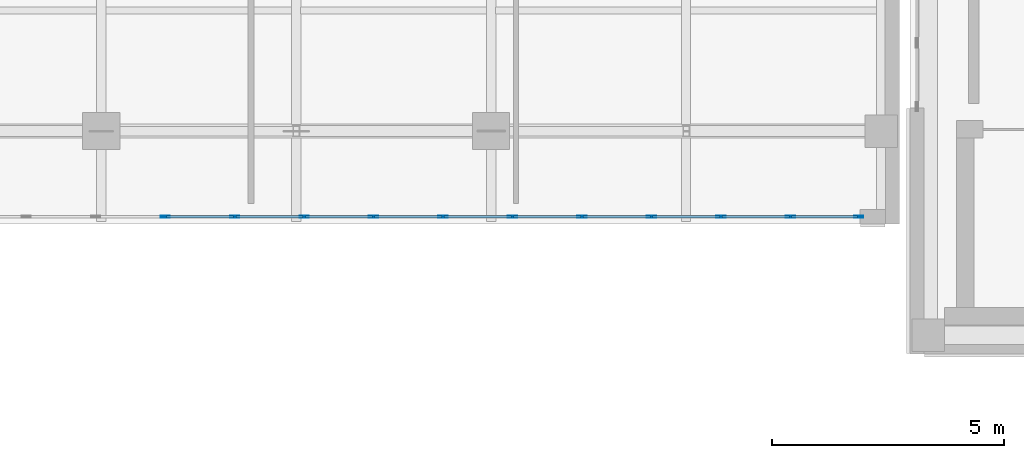
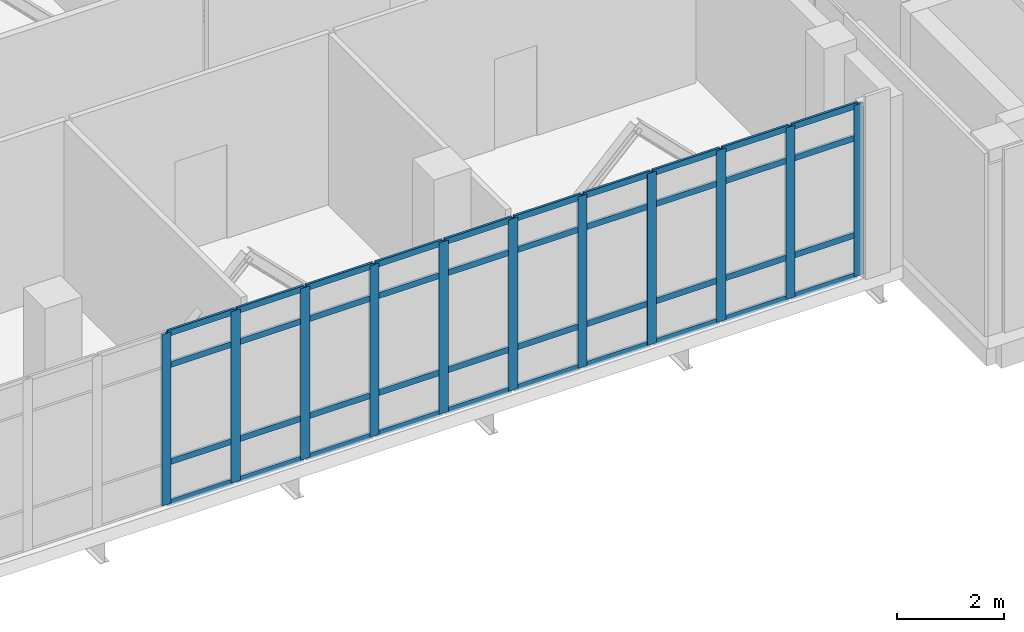
# One storey, part 4 of 193: 51 members, 1 element without a shape of its own.
"""IFC4 building model written with IfcOpenShell, lengths in metres."""

from ifc_helpers import new_model, si_unit, direction, frame, origin, origin_2d, place, context, subcontext, project, spatial, hollow_rectangle, extrude, material, layer, layer_set, material_profile, profile_set, type_object, element, aggregate, save


model = new_model("IFC4")

# Units and contexts
model_context = context("Model", 3, precision=1e-05, world=origin(), true_north=direction((0.0, 1.0)))
body_context = subcontext(model_context, "Body", "Model", "MODEL_VIEW")
ifc_project = project(units=[si_unit("LENGTHUNIT", "METRE"), si_unit("AREAUNIT", "SQUARE_METRE"), si_unit("VOLUMEUNIT", "CUBIC_METRE"), si_unit("PLANEANGLEUNIT", "RADIAN"), si_unit("MASSUNIT", "GRAM", prefix="KILO")], contexts=[model_context])

# Site, building, storey
site_placement = place(None, origin())
site = spatial("IfcSite", under=ifc_project, at=site_placement, CompositionType="ELEMENT")
building_placement = place(site_placement, origin())
building = spatial("IfcBuilding", under=site, at=building_placement, Name="Qalavern Law Courts", CompositionType="ELEMENT")
storey_placement = place(building_placement, frame((0.0, 0.0, 10.199951171875)))
storey = spatial("IfcBuildingStorey", under=building, at=storey_placement, Name="L02", CompositionType="ELEMENT", Elevation=10.199951171875)

# Curtain wall, members
ifc_material_1 = material(Name="Anodised aluminium and insulated glazing", Category="aluminium")
ifc_layer = layer(ifc_material_1, 0.199951171875)
ifc_layer_set = layer_set([ifc_layer], Name="Anodised aluminium and insulated glazing")
curtain_wall_type = type_object("IfcCurtainWallType", Name="ENV-CW-FOYER", PredefinedType="USERDEFINED", material=ifc_layer_set)
curtain_wall_placement = place(storey_placement, origin())
curtain_wall = element("IfcCurtainWall", 1, at=curtain_wall_placement, inside=storey, type_object=curtain_wall_type, Name="V1 unitised curtain wall L02 south 1", ObjectType="UNITISED CURTAIN WALL", PredefinedType="USERDEFINED")
ifc_material_2 = material(Name="Anodised aluminium", Category="aluminium")
ifc_material_profile_1 = material_profile(ifc_material_2, hollow_rectangle(XDim=0.048095703125, YDim=0.199951171875, WallThickness=0.00439453125, at=origin_2d()), Name="ALU MULLION 48x200")
ifc_profile_set_1 = profile_set([ifc_material_profile_1], Name="Anodised aluminium")
member_type_1 = type_object("IfcMemberType", Name="ENV-CWM-48x200", PredefinedType="MULLION", material=ifc_profile_set_1)
member_1_placement = place(storey_placement, frame((18.17822265625, 8.155029296875, 0.0), z_axis=(0.0, 0.0, 1.0), x_axis=(0.0, 1.0, 0.0)))
member_1 = element("IfcMember", 2, at=member_1_placement, type_object=member_type_1, Name="CW-01 mullion 9", PredefinedType="MULLION", context=body_context, shape_type="SweptSolid", body=[
    extrude(hollow_rectangle(XDim=0.048095703125, YDim=0.199951171875, WallThickness=0.00439453125, at=origin_2d()), origin(), (0.0, 0.0, 1.0), 3.9150390625),
])
member_2_placement = place(storey_placement, frame((19.675048828125, 8.155029296875, 0.0), z_axis=(0.0, 0.0, 1.0), x_axis=(0.0, 1.0, 0.0)))
member_2 = element("IfcMember", 3, at=member_2_placement, type_object=member_type_1, Name="CW-01 mullion 10", PredefinedType="MULLION", context=body_context, shape_type="SweptSolid", body=[
    extrude(hollow_rectangle(XDim=0.048095703125, YDim=0.199951171875, WallThickness=0.00439453125, at=origin_2d()), origin(), (0.0, 0.0, 1.0), 3.9150390625),
])
member_3_placement = place(storey_placement, frame((21.171630859375, 8.155029296875, 0.0), z_axis=(0.0, 0.0, 1.0), x_axis=(0.0, 1.0, 0.0)))
member_3 = element("IfcMember", 4, at=member_3_placement, type_object=member_type_1, Name="CW-01 mullion 11", PredefinedType="MULLION", context=body_context, shape_type="SweptSolid", body=[
    extrude(hollow_rectangle(XDim=0.048095703125, YDim=0.199951171875, WallThickness=0.00439453125, at=origin_2d()), origin(), (0.0, 0.0, 1.0), 3.9150390625),
])
member_4_placement = place(storey_placement, frame((22.668212890625, 8.155029296875, 0.0), z_axis=(0.0, 0.0, 1.0), x_axis=(0.0, 1.0, 0.0)))
member_4 = element("IfcMember", 5, at=member_4_placement, type_object=member_type_1, Name="CW-01 mullion 12", PredefinedType="MULLION", context=body_context, shape_type="SweptSolid", body=[
    extrude(hollow_rectangle(XDim=0.048095703125, YDim=0.199951171875, WallThickness=0.00439453125, at=origin_2d()), origin(), (0.0, 0.0, 1.0), 3.9150390625),
])
member_5_placement = place(storey_placement, frame((24.1650390625, 8.155029296875, 0.0), z_axis=(0.0, 0.0, 1.0), x_axis=(0.0, 1.0, 0.0)))
member_5 = element("IfcMember", 6, at=member_5_placement, type_object=member_type_1, Name="CW-01 mullion 13", PredefinedType="MULLION", context=body_context, shape_type="SweptSolid", body=[
    extrude(hollow_rectangle(XDim=0.048095703125, YDim=0.199951171875, WallThickness=0.00439453125, at=origin_2d()), origin(), (0.0, 0.0, 1.0), 3.9150390625),
])
member_6_placement = place(storey_placement, frame((25.66162109375, 8.155029296875, 0.0), z_axis=(0.0, 0.0, 1.0), x_axis=(0.0, 1.0, 0.0)))
member_6 = element("IfcMember", 7, at=member_6_placement, type_object=member_type_1, Name="CW-01 mullion 14", PredefinedType="MULLION", context=body_context, shape_type="SweptSolid", body=[
    extrude(hollow_rectangle(XDim=0.048095703125, YDim=0.199951171875, WallThickness=0.00439453125, at=origin_2d()), origin(), (0.0, 0.0, 1.0), 3.9150390625),
])
member_7_placement = place(storey_placement, frame((27.158447265625, 8.155029296875, 0.0), z_axis=(0.0, 0.0, 1.0), x_axis=(0.0, 1.0, 0.0)))
member_7 = element("IfcMember", 8, at=member_7_placement, type_object=member_type_1, Name="CW-01 mullion 15", PredefinedType="MULLION", context=body_context, shape_type="SweptSolid", body=[
    extrude(hollow_rectangle(XDim=0.048095703125, YDim=0.199951171875, WallThickness=0.00439453125, at=origin_2d()), origin(), (0.0, 0.0, 1.0), 3.9150390625),
])
member_8_placement = place(storey_placement, frame((28.655029296875, 8.155029296875, 0.0), z_axis=(0.0, 0.0, 1.0), x_axis=(0.0, 1.0, 0.0)))
member_8 = element("IfcMember", 9, at=member_8_placement, type_object=member_type_1, Name="CW-01 mullion 16", PredefinedType="MULLION", context=body_context, shape_type="SweptSolid", body=[
    extrude(hollow_rectangle(XDim=0.048095703125, YDim=0.199951171875, WallThickness=0.00439453125, at=origin_2d()), origin(), (0.0, 0.0, 1.0), 3.9150390625),
])
member_9_placement = place(storey_placement, frame((30.151611328125, 8.155029296875, 0.0), z_axis=(0.0, 0.0, 1.0), x_axis=(0.0, 1.0, 0.0)))
member_9 = element("IfcMember", 10, at=member_9_placement, type_object=member_type_1, Name="CW-01 mullion 17", PredefinedType="MULLION", context=body_context, shape_type="SweptSolid", body=[
    extrude(hollow_rectangle(XDim=0.048095703125, YDim=0.199951171875, WallThickness=0.00439453125, at=origin_2d()), origin(), (0.0, 0.0, 1.0), 3.9150390625),
])
member_10_placement = place(storey_placement, frame((31.6484375, 8.155029296875, 0.0), z_axis=(0.0, 0.0, 1.0), x_axis=(0.0, 1.0, 0.0)))
member_10 = element("IfcMember", 11, at=member_10_placement, type_object=member_type_1, Name="CW-01 mullion 18", PredefinedType="MULLION", context=body_context, shape_type="SweptSolid", body=[
    extrude(hollow_rectangle(XDim=0.048095703125, YDim=0.199951171875, WallThickness=0.00439453125, at=origin_2d()), origin(), (0.0, 0.0, 1.0), 3.9150390625),
])
member_11_placement = place(storey_placement, frame((33.12109375, 8.155029296875, 0.0), z_axis=(0.0, 0.0, 1.0), x_axis=(0.0, 1.0, 0.0)))
member_11 = element("IfcMember", 12, at=member_11_placement, type_object=member_type_1, Name="CW-01 mullion 19", PredefinedType="MULLION", context=body_context, shape_type="SweptSolid", body=[
    extrude(hollow_rectangle(XDim=0.048095703125, YDim=0.199951171875, WallThickness=0.00439453125, at=origin_2d()), origin(), (0.0, 0.0, 1.0), 3.9150390625),
])
ifc_material_profile_2 = material_profile(ifc_material_2, hollow_rectangle(XDim=0.048095703125, YDim=0.139892578125, WallThickness=0.00390625, at=origin_2d()), Name="ALU TRANSOM 48x140")
ifc_profile_set_2 = profile_set([ifc_material_profile_2], Name="Anodised aluminium")
member_type_2 = type_object("IfcMemberType", Name="ENV-CWT-48x140", PredefinedType="USERDEFINED", material=ifc_profile_set_2)
member_12_placement = place(storey_placement, frame((18.202392578125, 8.155029296875, 0.024169921875), z_axis=(1.0, 0.0, 0.0), x_axis=(0.0, 1.0, 0.0)))
member_12 = element("IfcMember", 13, at=member_12_placement, type_object=member_type_2, Name="CW-01 transom 9.1", ObjectType="TRANSOM", PredefinedType="USERDEFINED", context=body_context, shape_type="SweptSolid", body=[
    extrude(hollow_rectangle(XDim=0.048095703125, YDim=0.139892578125, WallThickness=0.00390625, at=origin_2d()), origin(), (0.0, 0.0, 1.0), 1.448486328125),
])
member_13_placement = place(storey_placement, frame((18.202392578125, 8.155029296875, 0.949951171875), z_axis=(1.0, 0.0, 0.0), x_axis=(0.0, 1.0, 0.0)))
member_13 = element("IfcMember", 14, at=member_13_placement, type_object=member_type_2, Name="CW-01 transom 9.2", ObjectType="TRANSOM", PredefinedType="USERDEFINED", context=body_context, shape_type="SweptSolid", body=[
    extrude(hollow_rectangle(XDim=0.048095703125, YDim=0.139892578125, WallThickness=0.00390625, at=origin_2d()), origin(), (0.0, 0.0, 1.0), 1.448486328125),
])
member_14_placement = place(storey_placement, frame((18.202392578125, 8.155029296875, 3.1650390625), z_axis=(1.0, 0.0, 0.0), x_axis=(0.0, 1.0, 0.0)))
member_14 = element("IfcMember", 15, at=member_14_placement, type_object=member_type_2, Name="CW-01 transom 9.3", ObjectType="TRANSOM", PredefinedType="USERDEFINED", context=body_context, shape_type="SweptSolid", body=[
    extrude(hollow_rectangle(XDim=0.048095703125, YDim=0.139892578125, WallThickness=0.00390625, at=origin_2d()), origin(), (0.0, 0.0, 1.0), 1.448486328125),
])
member_15_placement = place(storey_placement, frame((18.202392578125, 8.155029296875, 3.89111328125), z_axis=(1.0, 0.0, 0.0), x_axis=(0.0, 1.0, 0.0)))
member_15 = element("IfcMember", 16, at=member_15_placement, type_object=member_type_2, Name="CW-01 transom 9.4", ObjectType="TRANSOM", PredefinedType="USERDEFINED", context=body_context, shape_type="SweptSolid", body=[
    extrude(hollow_rectangle(XDim=0.048095703125, YDim=0.139892578125, WallThickness=0.00390625, at=origin_2d()), origin(), (0.0, 0.0, 1.0), 1.448486328125),
])
member_16_placement = place(storey_placement, frame((19.698974609375, 8.155029296875, 0.024169921875), z_axis=(1.0, 0.0, 0.0), x_axis=(0.0, 1.0, 0.0)))
member_16 = element("IfcMember", 17, at=member_16_placement, type_object=member_type_2, Name="CW-01 transom 10.1", ObjectType="TRANSOM", PredefinedType="USERDEFINED", context=body_context, shape_type="SweptSolid", body=[
    extrude(hollow_rectangle(XDim=0.048095703125, YDim=0.139892578125, WallThickness=0.00390625, at=origin_2d()), origin(), (0.0, 0.0, 1.0), 1.44873046875),
])
member_17_placement = place(storey_placement, frame((19.698974609375, 8.155029296875, 0.949951171875), z_axis=(1.0, 0.0, 0.0), x_axis=(0.0, 1.0, 0.0)))
member_17 = element("IfcMember", 18, at=member_17_placement, type_object=member_type_2, Name="CW-01 transom 10.2", ObjectType="TRANSOM", PredefinedType="USERDEFINED", context=body_context, shape_type="SweptSolid", body=[
    extrude(hollow_rectangle(XDim=0.048095703125, YDim=0.139892578125, WallThickness=0.00390625, at=origin_2d()), origin(), (0.0, 0.0, 1.0), 1.44873046875),
])
member_18_placement = place(storey_placement, frame((19.698974609375, 8.155029296875, 3.1650390625), z_axis=(1.0, 0.0, 0.0), x_axis=(0.0, 1.0, 0.0)))
member_18 = element("IfcMember", 19, at=member_18_placement, type_object=member_type_2, Name="CW-01 transom 10.3", ObjectType="TRANSOM", PredefinedType="USERDEFINED", context=body_context, shape_type="SweptSolid", body=[
    extrude(hollow_rectangle(XDim=0.048095703125, YDim=0.139892578125, WallThickness=0.00390625, at=origin_2d()), origin(), (0.0, 0.0, 1.0), 1.44873046875),
])
member_19_placement = place(storey_placement, frame((19.698974609375, 8.155029296875, 3.89111328125), z_axis=(1.0, 0.0, 0.0), x_axis=(0.0, 1.0, 0.0)))
member_19 = element("IfcMember", 20, at=member_19_placement, type_object=member_type_2, Name="CW-01 transom 10.4", ObjectType="TRANSOM", PredefinedType="USERDEFINED", context=body_context, shape_type="SweptSolid", body=[
    extrude(hollow_rectangle(XDim=0.048095703125, YDim=0.139892578125, WallThickness=0.00390625, at=origin_2d()), origin(), (0.0, 0.0, 1.0), 1.44873046875),
])
member_20_placement = place(storey_placement, frame((21.195556640625, 8.155029296875, 0.024169921875), z_axis=(1.0, 0.0, 0.0), x_axis=(0.0, 1.0, 0.0)))
member_20 = element("IfcMember", 21, at=member_20_placement, type_object=member_type_2, Name="CW-01 transom 11.1", ObjectType="TRANSOM", PredefinedType="USERDEFINED", context=body_context, shape_type="SweptSolid", body=[
    extrude(hollow_rectangle(XDim=0.048095703125, YDim=0.139892578125, WallThickness=0.00390625, at=origin_2d()), origin(), (0.0, 0.0, 1.0), 1.44873046875),
])
member_21_placement = place(storey_placement, frame((21.195556640625, 8.155029296875, 0.949951171875), z_axis=(1.0, 0.0, 0.0), x_axis=(0.0, 1.0, 0.0)))
member_21 = element("IfcMember", 22, at=member_21_placement, type_object=member_type_2, Name="CW-01 transom 11.2", ObjectType="TRANSOM", PredefinedType="USERDEFINED", context=body_context, shape_type="SweptSolid", body=[
    extrude(hollow_rectangle(XDim=0.048095703125, YDim=0.139892578125, WallThickness=0.00390625, at=origin_2d()), origin(), (0.0, 0.0, 1.0), 1.44873046875),
])
member_22_placement = place(storey_placement, frame((21.195556640625, 8.155029296875, 3.1650390625), z_axis=(1.0, 0.0, 0.0), x_axis=(0.0, 1.0, 0.0)))
member_22 = element("IfcMember", 23, at=member_22_placement, type_object=member_type_2, Name="CW-01 transom 11.3", ObjectType="TRANSOM", PredefinedType="USERDEFINED", context=body_context, shape_type="SweptSolid", body=[
    extrude(hollow_rectangle(XDim=0.048095703125, YDim=0.139892578125, WallThickness=0.00390625, at=origin_2d()), origin(), (0.0, 0.0, 1.0), 1.44873046875),
])
member_23_placement = place(storey_placement, frame((21.195556640625, 8.155029296875, 3.89111328125), z_axis=(1.0, 0.0, 0.0), x_axis=(0.0, 1.0, 0.0)))
member_23 = element("IfcMember", 24, at=member_23_placement, type_object=member_type_2, Name="CW-01 transom 11.4", ObjectType="TRANSOM", PredefinedType="USERDEFINED", context=body_context, shape_type="SweptSolid", body=[
    extrude(hollow_rectangle(XDim=0.048095703125, YDim=0.139892578125, WallThickness=0.00390625, at=origin_2d()), origin(), (0.0, 0.0, 1.0), 1.44873046875),
])
member_24_placement = place(storey_placement, frame((22.6923828125, 8.155029296875, 0.024169921875), z_axis=(1.0, 0.0, 0.0), x_axis=(0.0, 1.0, 0.0)))
member_24 = element("IfcMember", 25, at=member_24_placement, type_object=member_type_2, Name="CW-01 transom 12.1", ObjectType="TRANSOM", PredefinedType="USERDEFINED", context=body_context, shape_type="SweptSolid", body=[
    extrude(hollow_rectangle(XDim=0.048095703125, YDim=0.139892578125, WallThickness=0.00390625, at=origin_2d()), origin(), (0.0, 0.0, 1.0), 1.44873046875),
])
member_25_placement = place(storey_placement, frame((22.6923828125, 8.155029296875, 0.949951171875), z_axis=(1.0, 0.0, 0.0), x_axis=(0.0, 1.0, 0.0)))
member_25 = element("IfcMember", 26, at=member_25_placement, type_object=member_type_2, Name="CW-01 transom 12.2", ObjectType="TRANSOM", PredefinedType="USERDEFINED", context=body_context, shape_type="SweptSolid", body=[
    extrude(hollow_rectangle(XDim=0.048095703125, YDim=0.139892578125, WallThickness=0.00390625, at=origin_2d()), origin(), (0.0, 0.0, 1.0), 1.44873046875),
])
member_26_placement = place(storey_placement, frame((22.6923828125, 8.155029296875, 3.1650390625), z_axis=(1.0, 0.0, 0.0), x_axis=(0.0, 1.0, 0.0)))
member_26 = element("IfcMember", 27, at=member_26_placement, type_object=member_type_2, Name="CW-01 transom 12.3", ObjectType="TRANSOM", PredefinedType="USERDEFINED", context=body_context, shape_type="SweptSolid", body=[
    extrude(hollow_rectangle(XDim=0.048095703125, YDim=0.139892578125, WallThickness=0.00390625, at=origin_2d()), origin(), (0.0, 0.0, 1.0), 1.44873046875),
])
member_27_placement = place(storey_placement, frame((22.6923828125, 8.155029296875, 3.89111328125), z_axis=(1.0, 0.0, 0.0), x_axis=(0.0, 1.0, 0.0)))
member_27 = element("IfcMember", 28, at=member_27_placement, type_object=member_type_2, Name="CW-01 transom 12.4", ObjectType="TRANSOM", PredefinedType="USERDEFINED", context=body_context, shape_type="SweptSolid", body=[
    extrude(hollow_rectangle(XDim=0.048095703125, YDim=0.139892578125, WallThickness=0.00390625, at=origin_2d()), origin(), (0.0, 0.0, 1.0), 1.44873046875),
])
member_28_placement = place(storey_placement, frame((24.18896484375, 8.155029296875, 0.024169921875), z_axis=(1.0, 0.0, 0.0), x_axis=(0.0, 1.0, 0.0)))
member_28 = element("IfcMember", 29, at=member_28_placement, type_object=member_type_2, Name="CW-01 transom 13.1", ObjectType="TRANSOM", PredefinedType="USERDEFINED", context=body_context, shape_type="SweptSolid", body=[
    extrude(hollow_rectangle(XDim=0.048095703125, YDim=0.139892578125, WallThickness=0.00390625, at=origin_2d()), origin(), (0.0, 0.0, 1.0), 1.44873046875),
])
member_29_placement = place(storey_placement, frame((24.18896484375, 8.155029296875, 0.949951171875), z_axis=(1.0, 0.0, 0.0), x_axis=(0.0, 1.0, 0.0)))
member_29 = element("IfcMember", 30, at=member_29_placement, type_object=member_type_2, Name="CW-01 transom 13.2", ObjectType="TRANSOM", PredefinedType="USERDEFINED", context=body_context, shape_type="SweptSolid", body=[
    extrude(hollow_rectangle(XDim=0.048095703125, YDim=0.139892578125, WallThickness=0.00390625, at=origin_2d()), origin(), (0.0, 0.0, 1.0), 1.44873046875),
])
member_30_placement = place(storey_placement, frame((24.18896484375, 8.155029296875, 3.1650390625), z_axis=(1.0, 0.0, 0.0), x_axis=(0.0, 1.0, 0.0)))
member_30 = element("IfcMember", 31, at=member_30_placement, type_object=member_type_2, Name="CW-01 transom 13.3", ObjectType="TRANSOM", PredefinedType="USERDEFINED", context=body_context, shape_type="SweptSolid", body=[
    extrude(hollow_rectangle(XDim=0.048095703125, YDim=0.139892578125, WallThickness=0.00390625, at=origin_2d()), origin(), (0.0, 0.0, 1.0), 1.44873046875),
])
member_31_placement = place(storey_placement, frame((24.18896484375, 8.155029296875, 3.89111328125), z_axis=(1.0, 0.0, 0.0), x_axis=(0.0, 1.0, 0.0)))
member_31 = element("IfcMember", 32, at=member_31_placement, type_object=member_type_2, Name="CW-01 transom 13.4", ObjectType="TRANSOM", PredefinedType="USERDEFINED", context=body_context, shape_type="SweptSolid", body=[
    extrude(hollow_rectangle(XDim=0.048095703125, YDim=0.139892578125, WallThickness=0.00390625, at=origin_2d()), origin(), (0.0, 0.0, 1.0), 1.44873046875),
])
member_32_placement = place(storey_placement, frame((25.685546875, 8.155029296875, 0.024169921875), z_axis=(1.0, 0.0, 0.0), x_axis=(0.0, 1.0, 0.0)))
member_32 = element("IfcMember", 33, at=member_32_placement, type_object=member_type_2, Name="CW-01 transom 14.1", ObjectType="TRANSOM", PredefinedType="USERDEFINED", context=body_context, shape_type="SweptSolid", body=[
    extrude(hollow_rectangle(XDim=0.048095703125, YDim=0.139892578125, WallThickness=0.00390625, at=origin_2d()), origin(), (0.0, 0.0, 1.0), 1.44873046875),
])
member_33_placement = place(storey_placement, frame((25.685546875, 8.155029296875, 0.949951171875), z_axis=(1.0, 0.0, 0.0), x_axis=(0.0, 1.0, 0.0)))
member_33 = element("IfcMember", 34, at=member_33_placement, type_object=member_type_2, Name="CW-01 transom 14.2", ObjectType="TRANSOM", PredefinedType="USERDEFINED", context=body_context, shape_type="SweptSolid", body=[
    extrude(hollow_rectangle(XDim=0.048095703125, YDim=0.139892578125, WallThickness=0.00390625, at=origin_2d()), origin(), (0.0, 0.0, 1.0), 1.44873046875),
])
member_34_placement = place(storey_placement, frame((25.685546875, 8.155029296875, 3.1650390625), z_axis=(1.0, 0.0, 0.0), x_axis=(0.0, 1.0, 0.0)))
member_34 = element("IfcMember", 35, at=member_34_placement, type_object=member_type_2, Name="CW-01 transom 14.3", ObjectType="TRANSOM", PredefinedType="USERDEFINED", context=body_context, shape_type="SweptSolid", body=[
    extrude(hollow_rectangle(XDim=0.048095703125, YDim=0.139892578125, WallThickness=0.00390625, at=origin_2d()), origin(), (0.0, 0.0, 1.0), 1.44873046875),
])
member_35_placement = place(storey_placement, frame((25.685546875, 8.155029296875, 3.89111328125), z_axis=(1.0, 0.0, 0.0), x_axis=(0.0, 1.0, 0.0)))
member_35 = element("IfcMember", 36, at=member_35_placement, type_object=member_type_2, Name="CW-01 transom 14.4", ObjectType="TRANSOM", PredefinedType="USERDEFINED", context=body_context, shape_type="SweptSolid", body=[
    extrude(hollow_rectangle(XDim=0.048095703125, YDim=0.139892578125, WallThickness=0.00390625, at=origin_2d()), origin(), (0.0, 0.0, 1.0), 1.44873046875),
])
member_36_placement = place(storey_placement, frame((27.182373046875, 8.155029296875, 0.024169921875), z_axis=(1.0, 0.0, 0.0), x_axis=(0.0, 1.0, 0.0)))
member_36 = element("IfcMember", 37, at=member_36_placement, type_object=member_type_2, Name="CW-01 transom 15.1", ObjectType="TRANSOM", PredefinedType="USERDEFINED", context=body_context, shape_type="SweptSolid", body=[
    extrude(hollow_rectangle(XDim=0.048095703125, YDim=0.139892578125, WallThickness=0.00390625, at=origin_2d()), origin(), (0.0, 0.0, 1.0), 1.44873046875),
])
member_37_placement = place(storey_placement, frame((27.182373046875, 8.155029296875, 0.949951171875), z_axis=(1.0, 0.0, 0.0), x_axis=(0.0, 1.0, 0.0)))
member_37 = element("IfcMember", 38, at=member_37_placement, type_object=member_type_2, Name="CW-01 transom 15.2", ObjectType="TRANSOM", PredefinedType="USERDEFINED", context=body_context, shape_type="SweptSolid", body=[
    extrude(hollow_rectangle(XDim=0.048095703125, YDim=0.139892578125, WallThickness=0.00390625, at=origin_2d()), origin(), (0.0, 0.0, 1.0), 1.44873046875),
])
member_38_placement = place(storey_placement, frame((27.182373046875, 8.155029296875, 3.1650390625), z_axis=(1.0, 0.0, 0.0), x_axis=(0.0, 1.0, 0.0)))
member_38 = element("IfcMember", 39, at=member_38_placement, type_object=member_type_2, Name="CW-01 transom 15.3", ObjectType="TRANSOM", PredefinedType="USERDEFINED", context=body_context, shape_type="SweptSolid", body=[
    extrude(hollow_rectangle(XDim=0.048095703125, YDim=0.139892578125, WallThickness=0.00390625, at=origin_2d()), origin(), (0.0, 0.0, 1.0), 1.44873046875),
])
member_39_placement = place(storey_placement, frame((27.182373046875, 8.155029296875, 3.89111328125), z_axis=(1.0, 0.0, 0.0), x_axis=(0.0, 1.0, 0.0)))
member_39 = element("IfcMember", 40, at=member_39_placement, type_object=member_type_2, Name="CW-01 transom 15.4", ObjectType="TRANSOM", PredefinedType="USERDEFINED", context=body_context, shape_type="SweptSolid", body=[
    extrude(hollow_rectangle(XDim=0.048095703125, YDim=0.139892578125, WallThickness=0.00390625, at=origin_2d()), origin(), (0.0, 0.0, 1.0), 1.44873046875),
])
member_40_placement = place(storey_placement, frame((28.678955078125, 8.155029296875, 0.024169921875), z_axis=(1.0, 0.0, 0.0), x_axis=(0.0, 1.0, 0.0)))
member_40 = element("IfcMember", 41, at=member_40_placement, type_object=member_type_2, Name="CW-01 transom 16.1", ObjectType="TRANSOM", PredefinedType="USERDEFINED", context=body_context, shape_type="SweptSolid", body=[
    extrude(hollow_rectangle(XDim=0.048095703125, YDim=0.139892578125, WallThickness=0.00390625, at=origin_2d()), origin(), (0.0, 0.0, 1.0), 1.44873046875),
])
member_41_placement = place(storey_placement, frame((28.678955078125, 8.155029296875, 0.949951171875), z_axis=(1.0, 0.0, 0.0), x_axis=(0.0, 1.0, 0.0)))
member_41 = element("IfcMember", 42, at=member_41_placement, type_object=member_type_2, Name="CW-01 transom 16.2", ObjectType="TRANSOM", PredefinedType="USERDEFINED", context=body_context, shape_type="SweptSolid", body=[
    extrude(hollow_rectangle(XDim=0.048095703125, YDim=0.139892578125, WallThickness=0.00390625, at=origin_2d()), origin(), (0.0, 0.0, 1.0), 1.44873046875),
])
member_42_placement = place(storey_placement, frame((28.678955078125, 8.155029296875, 3.1650390625), z_axis=(1.0, 0.0, 0.0), x_axis=(0.0, 1.0, 0.0)))
member_42 = element("IfcMember", 43, at=member_42_placement, type_object=member_type_2, Name="CW-01 transom 16.3", ObjectType="TRANSOM", PredefinedType="USERDEFINED", context=body_context, shape_type="SweptSolid", body=[
    extrude(hollow_rectangle(XDim=0.048095703125, YDim=0.139892578125, WallThickness=0.00390625, at=origin_2d()), origin(), (0.0, 0.0, 1.0), 1.44873046875),
])
member_43_placement = place(storey_placement, frame((28.678955078125, 8.155029296875, 3.89111328125), z_axis=(1.0, 0.0, 0.0), x_axis=(0.0, 1.0, 0.0)))
member_43 = element("IfcMember", 44, at=member_43_placement, type_object=member_type_2, Name="CW-01 transom 16.4", ObjectType="TRANSOM", PredefinedType="USERDEFINED", context=body_context, shape_type="SweptSolid", body=[
    extrude(hollow_rectangle(XDim=0.048095703125, YDim=0.139892578125, WallThickness=0.00390625, at=origin_2d()), origin(), (0.0, 0.0, 1.0), 1.44873046875),
])
member_44_placement = place(storey_placement, frame((30.17578125, 8.155029296875, 0.024169921875), z_axis=(1.0, 0.0, 0.0), x_axis=(0.0, 1.0, 0.0)))
member_44 = element("IfcMember", 45, at=member_44_placement, type_object=member_type_2, Name="CW-01 transom 17.1", ObjectType="TRANSOM", PredefinedType="USERDEFINED", context=body_context, shape_type="SweptSolid", body=[
    extrude(hollow_rectangle(XDim=0.048095703125, YDim=0.139892578125, WallThickness=0.00390625, at=origin_2d()), origin(), (0.0, 0.0, 1.0), 1.448486328125),
])
member_45_placement = place(storey_placement, frame((30.17578125, 8.155029296875, 0.949951171875), z_axis=(1.0, 0.0, 0.0), x_axis=(0.0, 1.0, 0.0)))
member_45 = element("IfcMember", 46, at=member_45_placement, type_object=member_type_2, Name="CW-01 transom 17.2", ObjectType="TRANSOM", PredefinedType="USERDEFINED", context=body_context, shape_type="SweptSolid", body=[
    extrude(hollow_rectangle(XDim=0.048095703125, YDim=0.139892578125, WallThickness=0.00390625, at=origin_2d()), origin(), (0.0, 0.0, 1.0), 1.448486328125),
])
member_46_placement = place(storey_placement, frame((30.17578125, 8.155029296875, 3.1650390625), z_axis=(1.0, 0.0, 0.0), x_axis=(0.0, 1.0, 0.0)))
member_46 = element("IfcMember", 47, at=member_46_placement, type_object=member_type_2, Name="CW-01 transom 17.3", ObjectType="TRANSOM", PredefinedType="USERDEFINED", context=body_context, shape_type="SweptSolid", body=[
    extrude(hollow_rectangle(XDim=0.048095703125, YDim=0.139892578125, WallThickness=0.00390625, at=origin_2d()), origin(), (0.0, 0.0, 1.0), 1.448486328125),
])
member_47_placement = place(storey_placement, frame((30.17578125, 8.155029296875, 3.89111328125), z_axis=(1.0, 0.0, 0.0), x_axis=(0.0, 1.0, 0.0)))
member_47 = element("IfcMember", 48, at=member_47_placement, type_object=member_type_2, Name="CW-01 transom 17.4", ObjectType="TRANSOM", PredefinedType="USERDEFINED", context=body_context, shape_type="SweptSolid", body=[
    extrude(hollow_rectangle(XDim=0.048095703125, YDim=0.139892578125, WallThickness=0.00390625, at=origin_2d()), origin(), (0.0, 0.0, 1.0), 1.448486328125),
])
member_48_placement = place(storey_placement, frame((31.67236328125, 8.155029296875, 0.024169921875), z_axis=(1.0, 0.0, 0.0), x_axis=(0.0, 1.0, 0.0)))
member_48 = element("IfcMember", 49, at=member_48_placement, type_object=member_type_2, Name="CW-01 transom 18.1", ObjectType="TRANSOM", PredefinedType="USERDEFINED", context=body_context, shape_type="SweptSolid", body=[
    extrude(hollow_rectangle(XDim=0.048095703125, YDim=0.139892578125, WallThickness=0.00390625, at=origin_2d()), origin(), (0.0, 0.0, 1.0), 1.424560546875),
])
member_49_placement = place(storey_placement, frame((31.67236328125, 8.155029296875, 0.949951171875), z_axis=(1.0, 0.0, 0.0), x_axis=(0.0, 1.0, 0.0)))
member_49 = element("IfcMember", 50, at=member_49_placement, type_object=member_type_2, Name="CW-01 transom 18.2", ObjectType="TRANSOM", PredefinedType="USERDEFINED", context=body_context, shape_type="SweptSolid", body=[
    extrude(hollow_rectangle(XDim=0.048095703125, YDim=0.139892578125, WallThickness=0.00390625, at=origin_2d()), origin(), (0.0, 0.0, 1.0), 1.424560546875),
])
member_50_placement = place(storey_placement, frame((31.67236328125, 8.155029296875, 3.1650390625), z_axis=(1.0, 0.0, 0.0), x_axis=(0.0, 1.0, 0.0)))
member_50 = element("IfcMember", 51, at=member_50_placement, type_object=member_type_2, Name="CW-01 transom 18.3", ObjectType="TRANSOM", PredefinedType="USERDEFINED", context=body_context, shape_type="SweptSolid", body=[
    extrude(hollow_rectangle(XDim=0.048095703125, YDim=0.139892578125, WallThickness=0.00390625, at=origin_2d()), origin(), (0.0, 0.0, 1.0), 1.424560546875),
])
member_51_placement = place(storey_placement, frame((31.67236328125, 8.155029296875, 3.89111328125), z_axis=(1.0, 0.0, 0.0), x_axis=(0.0, 1.0, 0.0)))
member_51 = element("IfcMember", 52, at=member_51_placement, type_object=member_type_2, Name="CW-01 transom 18.4", ObjectType="TRANSOM", PredefinedType="USERDEFINED", context=body_context, shape_type="SweptSolid", body=[
    extrude(hollow_rectangle(XDim=0.048095703125, YDim=0.139892578125, WallThickness=0.00390625, at=origin_2d()), origin(), (0.0, 0.0, 1.0), 1.424560546875),
])
aggregate(curtain_wall, [member_1, member_2, member_3, member_4, member_5, member_6, member_7, member_8, member_9, member_10, member_11, member_12, member_13, member_14, member_15, member_16, member_17, member_18, member_19, member_20, member_21, member_22, member_23, member_24, member_25, member_26, member_27, member_28, member_29, member_30, member_31, member_32, member_33, member_34, member_35, member_36, member_37, member_38, member_39, member_40, member_41, member_42, member_43, member_44, member_45, member_46, member_47, member_48, member_49, member_50, member_51])

save(model, "model.ifc")
